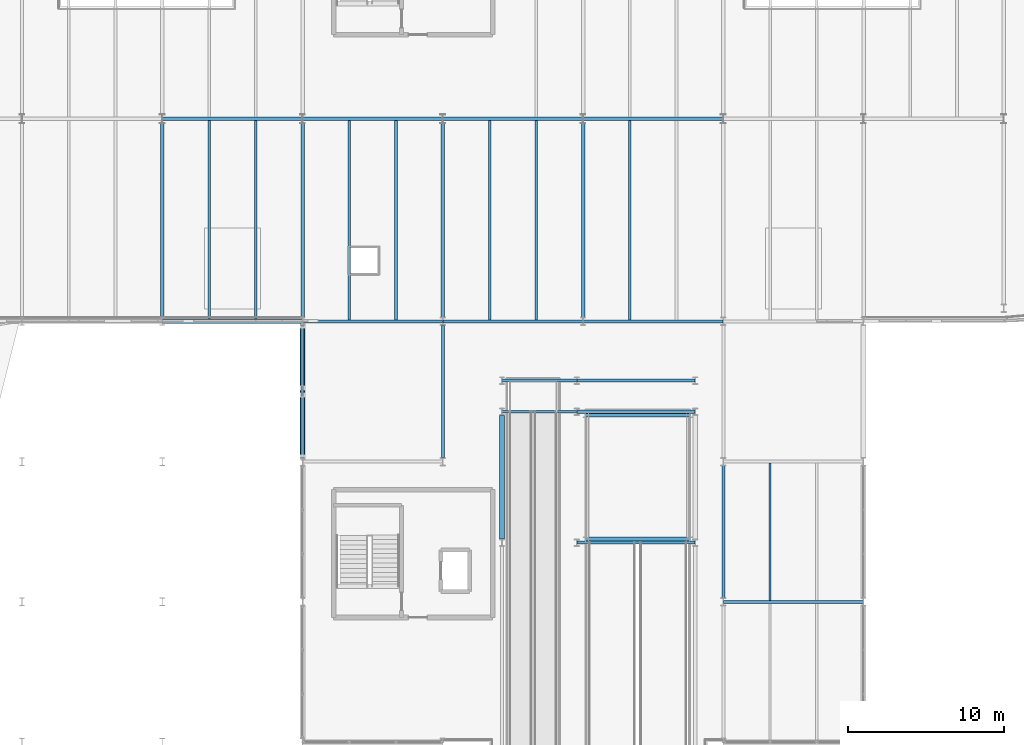
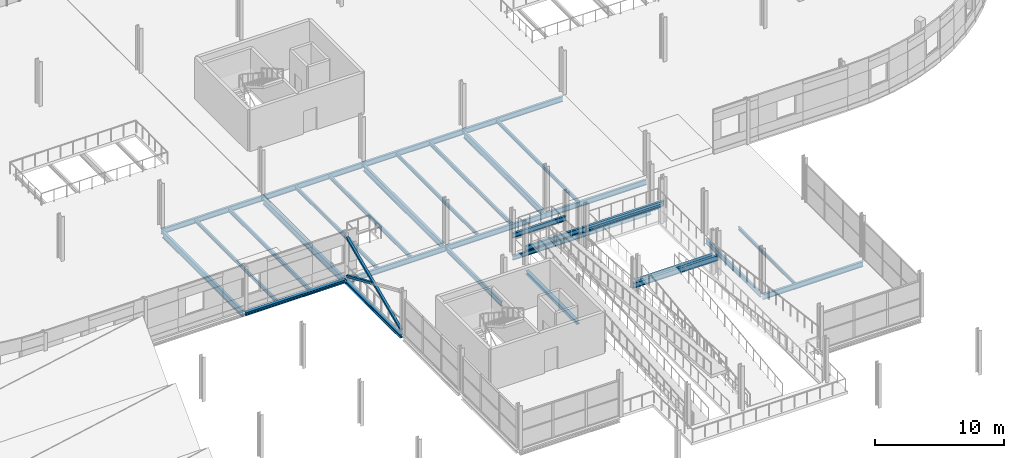
# One storey, part 37 of 103: 33 beams, 2 members.
"""IFC4 building model written with IfcOpenShell, lengths in metres."""

import ifcopenshell
import ifcopenshell.guid

model = None  # the IFC model being written
_history = None  # IfcOwnerHistory: only IFC2X3 demands one
_inside = {}  # id of a spatial element -> (the spatial element, [elements in it])
_under = {}  # id of a project, library or spatial element -> (it, [spatial elements below it])
_declared = {}  # id of a project -> (the project, [libraries it declares])
_typed = {}  # id of a type object -> (the type object, [elements of that type])
_made_of = {}  # id of a material, layer set ... -> (it, [elements and type objects made of it])


def new_model(schema):
    """Start an empty IFC model of exactly this schema.

    Asked for "IFC4X3", IfcOpenShell would pick the latest addendum, in which some entities
    have other attributes; the version numbers below select the first issue.
    IFC2X3 requires an IfcOwnerHistory on every rooted entity: one is made here for all.
    """
    global model, _history
    if schema == "IFC4X3":
        model = ifcopenshell.file(schema_version=(4, 3, 0, 0))
    else:
        model = ifcopenshell.file(schema=schema)
    _inside.clear()
    _under.clear()
    _declared.clear()
    _typed.clear()
    _made_of.clear()
    _history = None
    if model.schema == "IFC2X3":
        org = make("IfcOrganization", Name="unknown")
        user = make(
            "IfcPersonAndOrganization",
            ThePerson=make("IfcPerson", FamilyName="unknown"),
            TheOrganization=org,
        )
        app = make(
            "IfcApplication",
            ApplicationDeveloper=org,
            Version="unknown",
            ApplicationFullName="unknown",
            ApplicationIdentifier="unknown",
        )
        _history = make(
            "IfcOwnerHistory",
            OwningUser=user,
            OwningApplication=app,
            ChangeAction="ADDED",
            CreationDate=0,
        )
    return model


def make(cls, **values):
    """One entity of the class cls with the attributes given. An attribute that is None is left unset."""
    return model.create_entity(
        cls, **{name: value for name, value in values.items() if value is not None}
    )


def rooted(cls, **values):
    """An entity with a GlobalId (a new one), such as an element, a storey or a relation."""
    return make(cls, GlobalId=ifcopenshell.guid.new(), OwnerHistory=_history, **values)


def si_unit(unit_type, name, prefix=None):
    """IfcSIUnit, for example si_unit("LENGTHUNIT", "METRE", prefix="MILLI")."""
    return make("IfcSIUnit", UnitType=unit_type, Prefix=prefix, Name=name)


def assignment(units):
    """IfcUnitAssignment: the units of a project."""
    return None if units is None else make("IfcUnitAssignment", Units=units)


def point(xyz):
    """IfcCartesianPoint."""
    return None if xyz is None else make("IfcCartesianPoint", Coordinates=xyz)


def direction(xyz):
    """IfcDirection."""
    return None if xyz is None else make("IfcDirection", DirectionRatios=xyz)


def frame(location, z_axis=None, x_axis=None):
    """IfcAxis2Placement3D, a coordinate frame: its origin and axes. An axis left out is left unset."""
    return make(
        "IfcAxis2Placement3D",
        Location=point(location),
        Axis=direction(z_axis),
        RefDirection=direction(x_axis),
    )


def frame_2d(location, x_axis=None):
    """IfcAxis2Placement2D, a coordinate frame in the plane: its origin and x axis."""
    return make(
        "IfcAxis2Placement2D", Location=point(location), RefDirection=direction(x_axis)
    )


def origin():
    """The frame at (0, 0, 0) with its axes left unset."""
    return frame((0.0, 0.0, 0.0))


def origin_2d():
    """The frame at (0, 0) in the plane with its x axis left unset."""
    return frame_2d((0.0, 0.0))


def place(relative_to, where):
    """IfcLocalPlacement: puts the frame where relative to a parent placement (None: the world)."""
    return make(
        "IfcLocalPlacement", PlacementRelTo=relative_to, RelativePlacement=where
    )


def context(
    kind, dimensions, precision=None, world=None, true_north=None, identifier=None
):
    """IfcGeometricRepresentationContext, for example the 3D "Model" context."""
    return make(
        "IfcGeometricRepresentationContext",
        ContextIdentifier=identifier,
        ContextType=kind,
        CoordinateSpaceDimension=dimensions,
        Precision=precision,
        WorldCoordinateSystem=world,
        TrueNorth=true_north,
    )


def subcontext(parent, identifier, kind, view, scale=None):
    """IfcGeometricRepresentationSubContext, for example "Body" below "Model"."""
    return make(
        "IfcGeometricRepresentationSubContext",
        ContextIdentifier=identifier,
        ContextType=kind,
        ParentContext=parent,
        TargetScale=scale,
        TargetView=view,
    )


def project(units=None, contexts=None):
    """IfcProject with its units and contexts."""
    return rooted(
        "IfcProject",
        Name="project",
        RepresentationContexts=contexts,
        UnitsInContext=assignment(units),
    )


def spatial(cls, under=None, at=None, **own):
    """A site, building, storey or space (cls), placed at a placement, below another one or the project."""
    s = rooted(cls, ObjectPlacement=at, **own)
    if under is not None:
        _under.setdefault(under.id(), (under, []))[1].append(s)
    return s


def profile(cls, at=None, kind="AREA", **sizes):
    """A parametric profile (cls). Its sizes go by their IFC names, for example OverallWidth=200.0."""
    return make(cls, ProfileType=kind, Position=at, **sizes)


def hollow_rectangle(**sizes):
    """IfcRectangleHollowProfileDef."""
    return profile("IfcRectangleHollowProfileDef", **sizes)


def i_section(**sizes):
    """IfcIShapeProfileDef."""
    return profile("IfcIShapeProfileDef", **sizes)


def extrude(swept, where, along, depth):
    """IfcExtrudedAreaSolid: the profile swept, set in the frame where, extruded along a direction by depth."""
    return make(
        "IfcExtrudedAreaSolid",
        SweptArea=swept,
        Position=where,
        ExtrudedDirection=direction(along),
        Depth=depth,
    )


def shape(context_of_items, identifier, shape_type, items):
    """IfcShapeRepresentation: the items that make up one representation, for example the "Body"."""
    return make(
        "IfcShapeRepresentation",
        ContextOfItems=context_of_items,
        RepresentationIdentifier=identifier,
        RepresentationType=shape_type,
        Items=items,
    )


def material(Name=None, Category=None):
    """IfcMaterial."""
    return make("IfcMaterial", Name=Name, Category=Category)


def material_profile(
    of_material, cross_section, Name=None, Category=None, Priority=None
):
    """IfcMaterialProfile: a cross section and its material."""
    return make(
        "IfcMaterialProfile",
        Name=Name,
        Material=of_material,
        Profile=cross_section,
        Priority=Priority,
        Category=Category,
    )


def profile_set(profiles, Name=None, composite=None):
    """IfcMaterialProfileSet."""
    return make(
        "IfcMaterialProfileSet",
        Name=Name,
        MaterialProfiles=profiles,
        CompositeProfile=composite,
    )


def made_of(thing, what):
    """Note that an element or type object is made of a material, layer set ...; save() writes the relation."""
    if what is not None:
        _made_of.setdefault(what.id(), (what, []))[1].append(thing)
    return thing


def type_object(cls, material=None, **own):
    """A type object (cls), such as IfcWallType, which elements share."""
    return made_of(rooted(cls, **own), material)


def element(
    cls,
    number,
    at=None,
    inside=None,
    cuts=None,
    type_object=None,
    material=None,
    context=None,
    identifier="Body",
    shape_type=None,
    held_by="IfcProductDefinitionShape",
    body=None,
    shapes=None,
    **own,
):
    """One element of the class cls, such as IfcWall. Its Tag is "e" and its number.

    at: its placement. inside: the storey or other place that contains it. cuts: it is an
    opening in that element (IfcRelVoidsElement). A single representation is given by context,
    identifier, shape_type and body (its items); several are given by shapes. held_by: the class
    of the entity that holds the representations. save() writes the other relations.
    """
    e = rooted(cls, Tag="e%d" % number, ObjectPlacement=at, **own)
    if body is not None:
        shapes = [shape(context, identifier, shape_type, body)]
    if shapes is not None:
        e.Representation = make(held_by, Representations=shapes)
    if inside is not None:
        _inside.setdefault(inside.id(), (inside, []))[1].append(e)
    if cuts is not None:
        rooted(
            "IfcRelVoidsElement", RelatingBuildingElement=cuts, RelatedOpeningElement=e
        )
    if type_object is not None:
        _typed.setdefault(type_object.id(), (type_object, []))[1].append(e)
    return made_of(e, material)


def aggregate(whole, parts):
    """IfcRelAggregates: a whole, such as a stair, and the parts it consists of."""
    return rooted("IfcRelAggregates", RelatingObject=whole, RelatedObjects=parts)


def save(model, path):
    """Write the relations noted so far, then the file.

    IfcRelAggregates (storeys below a building ...), IfcRelContainedInSpatialStructure (elements
    in a storey), IfcRelDefinesByType, IfcRelAssociatesMaterial and IfcRelDeclares: one each for
    every whole, place, type object, material and project.
    """
    for whole, parts in _under.values():
        aggregate(whole, parts)
    for where, things in _inside.values():
        rooted(
            "IfcRelContainedInSpatialStructure",
            RelatedElements=things,
            RelatingStructure=where,
        )
    for kind, things in _typed.values():
        rooted("IfcRelDefinesByType", RelatedObjects=things, RelatingType=kind)
    for what, things in _made_of.values():
        rooted("IfcRelAssociatesMaterial", RelatedObjects=things, RelatingMaterial=what)
    for by, libraries in _declared.values():
        rooted("IfcRelDeclares", RelatingContext=by, RelatedDefinitions=libraries)
    model.write(path)


model = new_model("IFC4")

# Units and contexts
model_context = context("Model", 3, precision=1e-05, world=origin(), true_north=direction((0.0, 1.0)))
body_context = subcontext(model_context, "Body", "Model", "MODEL_VIEW")
ifc_project = project(units=[si_unit("LENGTHUNIT", "METRE"), si_unit("AREAUNIT", "SQUARE_METRE"), si_unit("VOLUMEUNIT", "CUBIC_METRE"), si_unit("PLANEANGLEUNIT", "RADIAN"), si_unit("MASSUNIT", "GRAM", prefix="KILO")], contexts=[model_context])

# Site, building, storey
site_placement = place(None, origin())
site = spatial("IfcSite", under=ifc_project, at=site_placement, CompositionType="ELEMENT")
building_placement = place(site_placement, origin())
building = spatial("IfcBuilding", under=site, at=building_placement, Name="Deido Ridge Mobility Hub", CompositionType="ELEMENT")
storey_placement = place(building_placement, frame((0.0, 0.0, 12.60009765625)))
storey = spatial("IfcBuildingStorey", under=building, at=storey_placement, Name="L03", CompositionType="ELEMENT", Elevation=12.60009765625)

# Beams
ifc_material_1 = material(Name="Steel S355J2 EN 10025-2", Category="steel")
ifc_material_profile_1 = material_profile(ifc_material_1, i_section(OverallWidth=0.300048828125, OverallDepth=0.330078125, WebThickness=0.009521484375, FlangeThickness=0.0166015625, FilletRadius=0.027099609375, at=origin_2d()), Name="HEA 340")
ifc_profile_set_1 = profile_set([ifc_material_profile_1], Name="Steel S355J2 EN 10025-2")
beam_type_1 = type_object("IfcBeamType", Name="BM-HEA340", PredefinedType="BEAM", material=ifc_profile_set_1)
beam_1_placement = place(storey_placement, frame((84.800048828125, 67.02490234375, -0.43017578125), z_axis=(0.0, 1.0, 0.0), x_axis=(-1.0, 0.0, 0.0)))
element("IfcBeam", 1, at=beam_1_placement, inside=storey, type_object=beam_type_1, Name="Floor beam B6", PredefinedType="BEAM", context=body_context, shape_type="SweptSolid", body=[
    extrude(i_section(OverallWidth=0.300048828125, OverallDepth=0.330078125, WebThickness=0.009521484375, FlangeThickness=0.0166015625, FilletRadius=0.027099609375, at=origin_2d()), origin(), (0.0, 0.0, 1.0), 7.9501953125),
])
for number, where, z_axis, x_axis, name in (
    (2, (90.14990234375, 67.0, 1.7099609375), (1.0, 0.0, 0.0), (0.0, 1.0, 0.0), "Vehicle ramp half-landing trimmer beam L03"),
    (3, (90.14990234375, 75.0, 1.7099609375), (1.0, 0.0, 0.0), (0.0, 1.0, 0.0), "Vehicle ramp half-landing trimmer beam L03"),
):
    element("IfcBeam", number, at=place(storey_placement, frame(where, z_axis=z_axis, x_axis=x_axis)), inside=storey, type_object=beam_type_1, Name=name, PredefinedType="BEAM", context=body_context, shape_type="SweptSolid", body=[
        extrude(i_section(OverallWidth=0.300048828125, OverallDepth=0.330078125, WebThickness=0.009521484375, FlangeThickness=0.0166015625, FilletRadius=0.027099609375, at=origin_2d()), origin(), (0.0, 0.0, 1.0), 6.7001953125),
    ])
ifc_material_profile_2 = material_profile(ifc_material_1, i_section(OverallWidth=0.179931640625, OverallDepth=0.39990234375, WebThickness=0.008544921875, FlangeThickness=0.013427734375, FilletRadius=0.02099609375, at=origin_2d()), Name="IPE 400")
ifc_profile_set_2 = profile_set([ifc_material_profile_2], Name="Steel S355J2 EN 10025-2")
beam_type_2 = type_object("IfcBeamType", Name="BM-IPE400", PredefinedType="BEAM", material=ifc_profile_set_2)
beam_2_placement = place(storey_placement, frame((84.806884765625, 77.199951171875, -0.465087890625), z_axis=(1.0, 0.0, 0.0), x_axis=(0.0, 1.0, 0.0)))
element("IfcBeam", 4, at=beam_2_placement, inside=storey, type_object=beam_type_2, Name="Floor beam B5", PredefinedType="BEAM", context=body_context, shape_type="SweptSolid", body=[
    extrude(i_section(OverallWidth=0.179931640625, OverallDepth=0.39990234375, WebThickness=0.008544921875, FlangeThickness=0.013427734375, FilletRadius=0.02099609375, at=origin_2d()), origin(), (0.0, 0.0, 1.0), 4.7861328125),
])
beam_3_placement = place(storey_placement, frame((89.60693359375, 77.199951171875, -0.465087890625), z_axis=(1.0, 0.0, 0.0), x_axis=(0.0, 1.0, 0.0)))
element("IfcBeam", 5, at=beam_3_placement, inside=storey, type_object=beam_type_2, Name="Floor beam B5", PredefinedType="BEAM", context=body_context, shape_type="SweptSolid", body=[
    extrude(i_section(OverallWidth=0.179931640625, OverallDepth=0.39990234375, WebThickness=0.008544921875, FlangeThickness=0.013427734375, FilletRadius=0.02099609375, at=origin_2d()), origin(), (0.0, 0.0, 1.0), 7.586181640625),
])
ifc_material_profile_3 = material_profile(ifc_material_1, i_section(OverallWidth=0.18994140625, OverallDepth=0.449951171875, WebThickness=0.009521484375, FlangeThickness=0.0146484375, FilletRadius=0.02099609375, at=origin_2d()), Name="IPE 450")
ifc_profile_set_3 = profile_set([ifc_material_profile_3], Name="Steel S355J2 EN 10025-2")
beam_type_3 = type_object("IfcBeamType", Name="BM-IPE450", PredefinedType="BEAM", material=ifc_profile_set_3)
for number, where, z_axis, x_axis, name in (
    (6, (81.0, 72.25, -0.489990234375), (0.0, 1.0, 0.0), (-1.0, 0.0, 0.0), "Floor beam B4"),
    (7, (99.0, 63.25, -0.489990234375), (0.0, 1.0, 0.0), (-1.0, 0.0, 0.0), "Floor beam B4"),
):
    element("IfcBeam", number, at=place(storey_placement, frame(where, z_axis=z_axis, x_axis=x_axis)), inside=storey, type_object=beam_type_3, Name=name, PredefinedType="BEAM", context=body_context, shape_type="SweptSolid", body=[
        extrude(i_section(OverallWidth=0.18994140625, OverallDepth=0.449951171875, WebThickness=0.009521484375, FlangeThickness=0.0146484375, FilletRadius=0.02099609375, at=origin_2d()), origin(), (0.0, 0.0, 1.0), 8.5),
    ])
for number, where, z_axis, x_axis, name in (
    (8, (84.805908203125, 75.199951171875, 1.659912109375), (1.0, 0.0, 0.0), (0.0, 1.0, 0.0), "Ramp landing beam B4"),
    (9, (84.805908203125, 77.199951171875, 1.659912109375), (1.0, 0.0, 0.0), (0.0, 1.0, 0.0), "Ramp landing beam B4"),
):
    element("IfcBeam", number, at=place(storey_placement, frame(where, z_axis=z_axis, x_axis=x_axis)), inside=storey, type_object=beam_type_3, Name=name, PredefinedType="BEAM", context=body_context, shape_type="SweptSolid", body=[
        extrude(i_section(OverallWidth=0.18994140625, OverallDepth=0.449951171875, WebThickness=0.009521484375, FlangeThickness=0.0146484375, FilletRadius=0.02099609375, at=origin_2d()), origin(), (0.0, 0.0, 1.0), 4.7880859375),
    ])
ifc_material_profile_4 = material_profile(ifc_material_1, i_section(OverallWidth=0.199951171875, OverallDepth=0.5, WebThickness=0.01025390625, FlangeThickness=0.01611328125, FilletRadius=0.02099609375, at=origin_2d()), Name="IPE 500")
ifc_profile_set_4 = profile_set([ifc_material_profile_4], Name="Steel S355J2 EN 10025-2")
beam_type_4 = type_object("IfcBeamType", Name="BM-IPE500", PredefinedType="BEAM", material=ifc_profile_set_4)
for number, where, z_axis, x_axis, name in (
    (10, (99.007080078125, 63.0, -0.51513671875), (1.0, 0.0, 0.0), (0.0, 1.0, 0.0), "Floor beam B3"),
    (11, (72.007080078125, 81.0, -0.51513671875), (1.0, 0.0, 0.0), (0.0, 1.0, 0.0), "Floor beam B3"),
    (12, (81.007080078125, 81.0, -0.51513671875), (1.0, 0.0, 0.0), (0.0, 1.0, 0.0), "Floor beam B3"),
    (13, (90.007080078125, 81.0, -0.51513671875), (1.0, 0.0, 0.0), (0.0, 1.0, 0.0), "Floor beam B3"),
):
    element("IfcBeam", number, at=place(storey_placement, frame(where, z_axis=z_axis, x_axis=x_axis)), inside=storey, type_object=beam_type_4, Name=name, PredefinedType="BEAM", context=body_context, shape_type="SweptSolid", body=[
        extrude(i_section(OverallWidth=0.199951171875, OverallDepth=0.5, WebThickness=0.01025390625, FlangeThickness=0.01611328125, FilletRadius=0.02099609375, at=origin_2d()), origin(), (0.0, 0.0, 1.0), 8.98583984375),
    ])
for number, where, z_axis, x_axis, name in (
    (14, (63.0078125, 94.0, -0.51513671875), (1.0, 0.0, 0.0), (0.0, 1.0, 0.0), "Floor beam B3"),
    (15, (72.0078125, 94.0, -0.51513671875), (1.0, 0.0, 0.0), (0.0, 1.0, 0.0), "Floor beam B3"),
    (16, (81.0078125, 94.0, -0.51513671875), (1.0, 0.0, 0.0), (0.0, 1.0, 0.0), "Floor beam B3"),
    (17, (90.0078125, 94.0, -0.51513671875), (1.0, 0.0, 0.0), (0.0, 1.0, 0.0), "Floor beam B3"),
):
    element("IfcBeam", number, at=place(storey_placement, frame(where, z_axis=z_axis, x_axis=x_axis)), inside=storey, type_object=beam_type_4, Name=name, PredefinedType="BEAM", context=body_context, shape_type="SweptSolid", body=[
        extrude(i_section(OverallWidth=0.199951171875, OverallDepth=0.5, WebThickness=0.01025390625, FlangeThickness=0.01611328125, FilletRadius=0.02099609375, at=origin_2d()), origin(), (0.0, 0.0, 1.0), 8.984375),
    ])
for number, where, z_axis, x_axis, name in (
    (18, (89.60595703125, 66.800048828125, 1.5498046875), (1.0, 0.0, 0.0), (0.0, 1.0, 0.0), "Ramp landing beam B3"),
    (19, (89.60595703125, 75.199951171875, 1.625), (1.0, 0.0, 0.0), (0.0, 1.0, 0.0), "Ramp landing beam B3"),
):
    element("IfcBeam", number, at=place(storey_placement, frame(where, z_axis=z_axis, x_axis=x_axis)), inside=storey, type_object=beam_type_4, Name=name, PredefinedType="BEAM", context=body_context, shape_type="SweptSolid", body=[
        extrude(i_section(OverallWidth=0.199951171875, OverallDepth=0.5, WebThickness=0.01025390625, FlangeThickness=0.01611328125, FilletRadius=0.02099609375, at=origin_2d()), origin(), (0.0, 0.0, 1.0), 7.588134765625),
    ])
ifc_material_profile_5 = material_profile(ifc_material_1, i_section(OverallWidth=0.219970703125, OverallDepth=0.60009765625, WebThickness=0.011962890625, FlangeThickness=0.01904296875, FilletRadius=0.02392578125, at=origin_2d()), Name="IPE 600")
ifc_profile_set_5 = profile_set([ifc_material_profile_5], Name="Steel S355J2 EN 10025-2")
beam_type_5 = type_object("IfcBeamType", Name="BM-IPE600", PredefinedType="BEAM", material=ifc_profile_set_5)
for number, where, z_axis, x_axis, name in (
    (20, (63.0, 81.25, -0.565185546875), (0.0, 1.0, 0.0), (-1.0, 0.0, 0.0), "Floor beam B1"),
    (21, (72.0, 81.25, -0.565185546875), (0.0, 1.0, 0.0), (-1.0, 0.0, 0.0), "Floor beam B1"),
    (22, (81.0, 81.25, -0.565185546875), (0.0, 1.0, 0.0), (-1.0, 0.0, 0.0), "Floor beam B1"),
    (23, (90.0, 81.25, -0.565185546875), (0.0, 1.0, 0.0), (-1.0, 0.0, 0.0), "Floor beam B1"),
):
    element("IfcBeam", number, at=place(storey_placement, frame(where, z_axis=z_axis, x_axis=x_axis)), inside=storey, type_object=beam_type_5, Name=name, PredefinedType="BEAM", context=body_context, shape_type="SweptSolid", body=[
        extrude(i_section(OverallWidth=0.219970703125, OverallDepth=0.60009765625, WebThickness=0.011962890625, FlangeThickness=0.01904296875, FilletRadius=0.02392578125, at=origin_2d()), origin(), (0.0, 0.0, 1.0), 12.449951171875),
    ])
ifc_material_profile_6 = material_profile(ifc_material_1, i_section(OverallWidth=0.14990234375, OverallDepth=0.300048828125, WebThickness=0.007080078125, FlangeThickness=0.0107421875, FilletRadius=0.014892578125, at=origin_2d()), Name="IPE 300")
ifc_profile_set_6 = profile_set([ifc_material_profile_6], Name="Steel S355J2 EN 10025-2")
beam_type_6 = type_object("IfcBeamType", Name="JST-IPE300", PredefinedType="JOIST", material=ifc_profile_set_6)
beam_4_placement = place(storey_placement, frame((102.0, 63.10009765625, -0.4150390625), z_axis=(0.0, 1.0, 0.0), x_axis=(-1.0, 0.0, 0.0)))
element("IfcBeam", 24, at=beam_4_placement, inside=storey, type_object=beam_type_6, Name="Composite joist J3", PredefinedType="JOIST", context=body_context, shape_type="SweptSolid", body=[
    extrude(i_section(OverallWidth=0.14990234375, OverallDepth=0.300048828125, WebThickness=0.007080078125, FlangeThickness=0.0107421875, FilletRadius=0.014892578125, at=origin_2d()), origin(), (0.0, 0.0, 1.0), 8.7998046875),
])
ifc_material_profile_7 = material_profile(ifc_material_1, i_section(OverallWidth=0.159912109375, OverallDepth=0.330078125, WebThickness=0.007568359375, FlangeThickness=0.011474609375, FilletRadius=0.01806640625, at=origin_2d()), Name="IPE 330")
ifc_profile_set_7 = profile_set([ifc_material_profile_7], Name="Steel S355J2 EN 10025-2")
beam_type_7 = type_object("IfcBeamType", Name="JST-IPE330", PredefinedType="JOIST", material=ifc_profile_set_7)
beam_5_placement = place(storey_placement, frame((66.0, 81.14990234375, -0.43017578125), z_axis=(0.0, 1.0, 0.0), x_axis=(-1.0, 0.0, 0.0)))
element("IfcBeam", 25, at=beam_5_placement, inside=storey, type_object=beam_type_7, Name="Composite joist J2", PredefinedType="JOIST", context=body_context, shape_type="SweptSolid", body=[
    extrude(i_section(OverallWidth=0.159912109375, OverallDepth=0.330078125, WebThickness=0.007568359375, FlangeThickness=0.011474609375, FilletRadius=0.01806640625, at=origin_2d()), origin(), (0.0, 0.0, 1.0), 12.75),
])
for number, where, z_axis, x_axis, name in (
    (26, (75.0, 81.10009765625, -0.43017578125), (0.0, 1.0, 0.0), (-1.0, 0.0, 0.0), "Composite joist J2"),
    (27, (84.0, 81.10009765625, -0.43017578125), (0.0, 1.0, 0.0), (-1.0, 0.0, 0.0), "Composite joist J2"),
    (28, (93.0, 81.10009765625, -0.43017578125), (0.0, 1.0, 0.0), (-1.0, 0.0, 0.0), "Composite joist J2"),
):
    element("IfcBeam", number, at=place(storey_placement, frame(where, z_axis=z_axis, x_axis=x_axis)), inside=storey, type_object=beam_type_7, Name=name, PredefinedType="JOIST", context=body_context, shape_type="SweptSolid", body=[
        extrude(i_section(OverallWidth=0.159912109375, OverallDepth=0.330078125, WebThickness=0.007568359375, FlangeThickness=0.011474609375, FilletRadius=0.01806640625, at=origin_2d()), origin(), (0.0, 0.0, 1.0), 12.7998046875),
    ])
ifc_material_profile_8 = material_profile(ifc_material_1, i_section(OverallWidth=0.169921875, OverallDepth=0.360107421875, WebThickness=0.008056640625, FlangeThickness=0.0126953125, FilletRadius=0.01806640625, at=origin_2d()), Name="IPE 360")
ifc_profile_set_8 = profile_set([ifc_material_profile_8], Name="Steel S355J2 EN 10025-2")
beam_type_8 = type_object("IfcBeamType", Name="JST-IPE360", PredefinedType="JOIST", material=ifc_profile_set_8)
beam_6_placement = place(storey_placement, frame((69.0, 81.14990234375, -0.445068359375), z_axis=(0.0, 1.0, 0.0), x_axis=(-1.0, 0.0, 0.0)))
element("IfcBeam", 29, at=beam_6_placement, inside=storey, type_object=beam_type_8, Name="Composite joist J1", PredefinedType="JOIST", context=body_context, shape_type="SweptSolid", body=[
    extrude(i_section(OverallWidth=0.169921875, OverallDepth=0.360107421875, WebThickness=0.008056640625, FlangeThickness=0.0126953125, FilletRadius=0.01806640625, at=origin_2d()), origin(), (0.0, 0.0, 1.0), 12.75),
])
for number, where, z_axis, x_axis, name in (
    (30, (78.0, 81.10009765625, -0.445068359375), (0.0, 1.0, 0.0), (-1.0, 0.0, 0.0), "Composite joist J1"),
    (31, (87.0, 81.10009765625, -0.445068359375), (0.0, 1.0, 0.0), (-1.0, 0.0, 0.0), "Composite joist J1"),
):
    element("IfcBeam", number, at=place(storey_placement, frame(where, z_axis=z_axis, x_axis=x_axis)), inside=storey, type_object=beam_type_8, Name=name, PredefinedType="JOIST", context=body_context, shape_type="SweptSolid", body=[
        extrude(i_section(OverallWidth=0.169921875, OverallDepth=0.360107421875, WebThickness=0.008056640625, FlangeThickness=0.0126953125, FilletRadius=0.01806640625, at=origin_2d()), origin(), (0.0, 0.0, 1.0), 12.7998046875),
    ])

# Members
ifc_material_2 = material(Name="Steel S355J2H EN 10210-1", Category="steel")
ifc_material_profile_9 = material_profile(ifc_material_2, hollow_rectangle(XDim=0.199951171875, YDim=0.199951171875, WallThickness=0.010009765625, at=origin_2d()), Name="SHS 200x200x10")
ifc_profile_set_9 = profile_set([ifc_material_profile_9], Name="Steel S355J2H EN 10210-1")
member_type = type_object("IfcMemberType", Name="MEM-BRC-SHS200", PredefinedType="BRACE", material=ifc_profile_set_9)
member_1_placement = place(storey_placement, frame((72.0, 72.300048828125, 0.179931640625), z_axis=(0.0, 0.917558219799, 0.397601450299), x_axis=(-1.0, 0.0, 0.0)))
element("IfcMember", 32, at=member_1_placement, inside=storey, type_object=member_type, Name="Continuous X-brace diagonal BR3", PredefinedType="BRACE", context=body_context, shape_type="SweptSolid", body=[
    extrude(hollow_rectangle(XDim=0.199951171875, YDim=0.199951171875, WallThickness=0.010009765625, at=origin_2d()), origin(), (0.0, 0.0, 1.0), 9.154541015625),
])
member_2_placement = place(storey_placement, frame((72.0, 80.699951171875, 0.179931640625), z_axis=(0.0, -0.917550833654, 0.397618495119), x_axis=(1.0, 0.0, 0.0)))
element("IfcMember", 33, at=member_2_placement, inside=storey, type_object=member_type, Name="Split X-brace diagonal segment BR3", PredefinedType="BRACE", context=body_context, shape_type="SweptSolid", body=[
    extrude(hollow_rectangle(XDim=0.199951171875, YDim=0.199951171875, WallThickness=0.010009765625, at=origin_2d()), origin(), (0.0, 0.0, 1.0), 4.33740234375),
])

# Beams
ifc_material_profile_10 = material_profile(ifc_material_1, i_section(OverallWidth=0.300048828125, OverallDepth=0.300048828125, WebThickness=0.010986328125, FlangeThickness=0.01904296875, FilletRadius=0.027099609375, at=origin_2d()), Name="HEB 300")
ifc_profile_set_10 = profile_set([ifc_material_profile_10], Name="Steel S355J2 EN 10025-2")
beam_type_9 = type_object("IfcBeamType", Name="SPD-HEB300", PredefinedType="SPANDREL", material=ifc_profile_set_10)
beam_7_placement = place(storey_placement, frame((63.007080078125, 81.0, -0.4150390625), z_axis=(1.0, 0.0, 0.0), x_axis=(0.0, 1.0, 0.0)))
element("IfcBeam", 34, at=beam_7_placement, inside=storey, type_object=beam_type_9, Name="Floor beam SP1", PredefinedType="SPANDREL", context=body_context, shape_type="SweptSolid", body=[
    extrude(i_section(OverallWidth=0.300048828125, OverallDepth=0.300048828125, WebThickness=0.010986328125, FlangeThickness=0.01904296875, FilletRadius=0.027099609375, at=origin_2d()), origin(), (0.0, 0.0, 1.0), 8.98583984375),
])
beam_8_placement = place(storey_placement, frame((72.0, 72.25, -0.4150390625), z_axis=(0.0, 1.0, 0.0), x_axis=(-1.0, 0.0, 0.0)))
element("IfcBeam", 35, at=beam_8_placement, inside=storey, type_object=beam_type_9, Name="Floor beam SP1", PredefinedType="SPANDREL", context=body_context, shape_type="SweptSolid", body=[
    extrude(i_section(OverallWidth=0.300048828125, OverallDepth=0.300048828125, WebThickness=0.010986328125, FlangeThickness=0.01904296875, FilletRadius=0.027099609375, at=origin_2d()), origin(), (0.0, 0.0, 1.0), 8.5),
])

save(model, "model.ifc")
